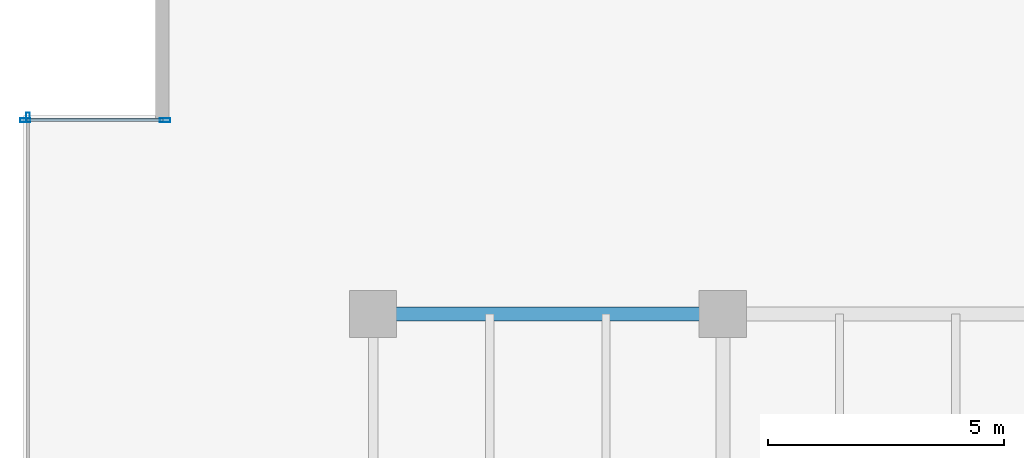
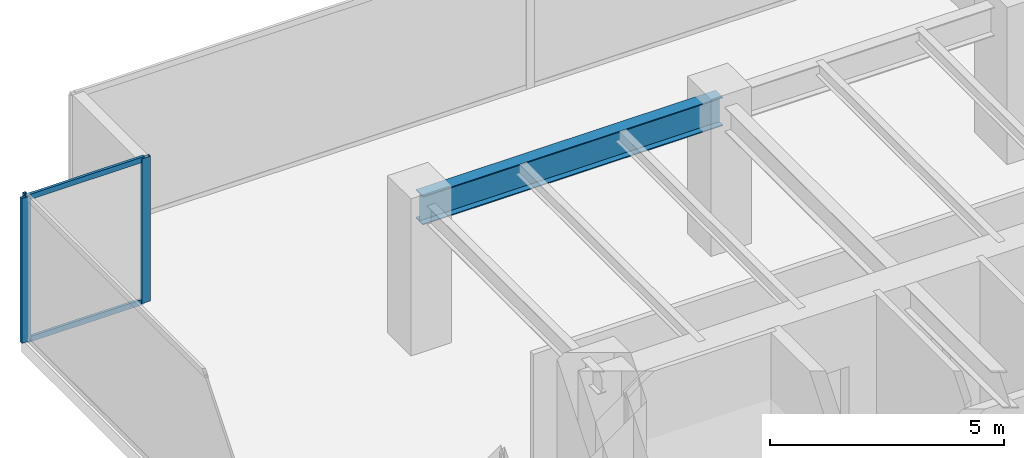
# One storey, part 12 of 35: 5 members, 1 beam, 2 elements without a shape of their own.
"""IFC4 building model written with IfcOpenShell, lengths in metres."""

from ifc_helpers import new_model, si_unit, direction, frame, origin, origin_2d, place, context, subcontext, project, spatial, hollow_rectangle, i_section, extrude, source, transform, mapped, material, layer, layer_set, material_profile, profile_set, type_object, type_shapes, element, aggregate, save


model = new_model("IFC4")

# Units and contexts
model_context = context("Model", 3, precision=1e-05, world=origin(), true_north=direction((0.0, 1.0)))
body_context = subcontext(model_context, "Body", "Model", "MODEL_VIEW")
ifc_project = project(units=[si_unit("LENGTHUNIT", "METRE"), si_unit("AREAUNIT", "SQUARE_METRE"), si_unit("VOLUMEUNIT", "CUBIC_METRE"), si_unit("PLANEANGLEUNIT", "RADIAN"), si_unit("MASSUNIT", "GRAM", prefix="KILO")], contexts=[model_context])

# Site, building, storey
site_placement = place(None, origin())
site = spatial("IfcSite", under=ifc_project, at=site_placement, CompositionType="ELEMENT")
building_placement = place(site_placement, origin())
building = spatial("IfcBuilding", under=site, at=building_placement, Name="Haelvirn Gate Laboratories", CompositionType="ELEMENT")
storey_placement = place(building_placement, frame((0.0, 0.0, 82.60009765625)))
storey = spatial("IfcBuildingStorey", under=building, at=storey_placement, Name="L20", CompositionType="ELEMENT", Elevation=82.60009765625)

# Beam
ifc_material_1 = material(Name="Steel SM355", Category="steel")
ifc_material_profile_1 = material_profile(ifc_material_1, i_section(OverallWidth=0.300048828125, OverallDepth=0.75, WebThickness=0.013916015625, FlangeThickness=0.02392578125, at=origin_2d()), Name="H-750x300x14x24")
ifc_profile_set_1 = profile_set([ifc_material_profile_1], Name="Steel SM355")
beam_type = type_object("IfcBeamType", Name="BM-G-750", PredefinedType="BEAM", material=ifc_profile_set_1)
shared_shape_1 = source(origin(), body_context, "Body", "SweptSolid", [
    extrude(i_section(OverallWidth=0.300048828125, OverallDepth=0.75, WebThickness=0.013916015625, FlangeThickness=0.02392578125, at=origin_2d()), origin(), (0.0, 0.0, 1.0), 7.400146484375),
])
type_shapes(beam_type, [shared_shape_1])
beam_placement = place(storey_placement, frame((7.39990234375, 41.60009765625, 3.40478515625), z_axis=(1.0, 0.0, 0.0), x_axis=(0.0, 1.0, 0.0)))
element("IfcBeam", 1, at=beam_placement, inside=storey, type_object=beam_type, Name="L20 Primary Girder Y41.6 (7.4-14.8)", PredefinedType="BEAM", context=body_context, shape_type="MappedRepresentation", body=[
    mapped(shared_shape_1, transform((0.0, 0.0, 0.0), scale=1.0)),
])

# Curtain wall, members
ifc_material_2 = material(Name="Anodised bronze unitised aluminium & triple low-E glass", Category="aluminium")
ifc_layer_1 = layer(ifc_material_2, 0.181884765625, Name="CW-SYS-5")
ifc_layer_set_1 = layer_set([ifc_layer_1], Name="Anodised bronze unitised aluminium & triple low-E glass")
curtain_wall_type_1 = type_object("IfcCurtainWallType", Name="CW-SYS-5", PredefinedType="NOTDEFINED", material=ifc_layer_set_1)
curtain_wall_1_placement = place(storey_placement, origin())
curtain_wall_1 = element("IfcCurtainWall", 2, at=curtain_wall_1_placement, inside=storey, type_object=curtain_wall_type_1, Name="L20 Unitised Curtain Wall CW-L20-P0-E16-1", PredefinedType="NOTDEFINED")
ifc_material_3 = material(Name="Extruded aluminium 6063-T6 (anodised bronze)", Category="aluminium")
ifc_material_profile_2 = material_profile(ifc_material_3, hollow_rectangle(XDim=0.06494140625, YDim=0.139892578125, WallThickness=0.00390625, at=origin_2d()), Name="CWT-140x65x4")
ifc_profile_set_2 = profile_set([ifc_material_profile_2], Name="Extruded aluminium 6063-T6 (anodised bronze)")
member_type_1 = type_object("IfcMemberType", Name="CWT-T140", PredefinedType="USERDEFINED", material=ifc_profile_set_2)
shared_shape_2 = source(origin(), body_context, "Body", "SweptSolid", [
    extrude(hollow_rectangle(XDim=0.06494140625, YDim=0.139892578125, WallThickness=0.00390625, at=origin_2d()), origin(), (0.0, 0.0, 1.0), 2.8798828125),
])
type_shapes(member_type_1, [shared_shape_2])
member_1_placement = place(storey_placement, frame((0.080078125, 45.699951171875, 0.032470703125), z_axis=(1.0, 0.0, 0.0), x_axis=(0.0, 1.0, 0.0)))
member_1 = element("IfcMember", 3, at=member_1_placement, type_object=member_type_1, Name="CW5 transom 1.1", ObjectType="TRANSOM", PredefinedType="USERDEFINED", context=body_context, shape_type="MappedRepresentation", body=[
    mapped(shared_shape_2, transform((0.0, 0.0, 0.0), scale=1.0)),
])
member_2_placement = place(storey_placement, frame((0.080078125, 45.699951171875, 3.747314453125), z_axis=(1.0, 0.0, 0.0), x_axis=(0.0, 1.0, 0.0)))
member_2 = element("IfcMember", 4, at=member_2_placement, type_object=member_type_1, Name="CW5 transom 1.2", ObjectType="TRANSOM", PredefinedType="USERDEFINED", context=body_context, shape_type="MappedRepresentation", body=[
    mapped(shared_shape_2, transform((0.0, 0.0, 0.0), scale=1.0)),
])

# Curtain wall, member
ifc_layer_2 = layer(ifc_material_2, 0.18408203125, Name="CW-SYS-2")
ifc_layer_set_2 = layer_set([ifc_layer_2], Name="Anodised bronze unitised aluminium & triple low-E glass")
curtain_wall_type_2 = type_object("IfcCurtainWallType", Name="CW-SYS-2", PredefinedType="NOTDEFINED", material=ifc_layer_set_2)
curtain_wall_2_placement = place(storey_placement, origin())
curtain_wall_2 = element("IfcCurtainWall", 5, at=curtain_wall_2_placement, inside=storey, type_object=curtain_wall_type_2, Name="L20 Unitised Curtain Wall CW-L20-P0-E17", PredefinedType="NOTDEFINED")
ifc_material_profile_3 = material_profile(ifc_material_3, hollow_rectangle(XDim=0.074951171875, YDim=0.199951171875, WallThickness=0.0048828125, at=origin_2d()), Name="CWM-200x75x5")
ifc_profile_set_3 = profile_set([ifc_material_profile_3], Name="Extruded aluminium 6063-T6 (anodised bronze)")
member_type_2 = type_object("IfcMemberType", Name="CWM-T200", PredefinedType="MULLION", material=ifc_profile_set_3)
shared_shape_3 = source(origin(), body_context, "Body", "SweptSolid", [
    extrude(hollow_rectangle(XDim=0.074951171875, YDim=0.199951171875, WallThickness=0.0048828125, at=origin_2d()), origin(), (0.0, 0.0, 1.0), 3.77978515625),
])
type_shapes(member_type_2, [shared_shape_3])
member_3_placement = place(storey_placement, frame((0.10009765625, 45.762451171875, 0.0), z_axis=(0.0, 0.0, 1.0), x_axis=(1.0, 0.0, 0.0)))
member_3 = element("IfcMember", 6, at=member_3_placement, type_object=member_type_2, Name="CW2 mullion 1", PredefinedType="MULLION", context=body_context, shape_type="MappedRepresentation", body=[
    mapped(shared_shape_3, transform((0.0, 0.0, 0.0), scale=1.0)),
])
aggregate(curtain_wall_2, [member_3])

# Member
ifc_material_profile_4 = material_profile(ifc_material_3, hollow_rectangle(XDim=0.080078125, YDim=0.219970703125, WallThickness=0.006103515625, at=origin_2d()), Name="CWM-220x80x6")
ifc_profile_set_4 = profile_set([ifc_material_profile_4], Name="Extruded aluminium 6063-T6 (anodised bronze)")
member_type_3 = type_object("IfcMemberType", Name="CWM-T220", PredefinedType="MULLION", material=ifc_profile_set_4)
shared_shape_4 = source(origin(), body_context, "Body", "SweptSolid", [
    extrude(hollow_rectangle(XDim=0.080078125, YDim=0.219970703125, WallThickness=0.006103515625, at=origin_2d()), origin(), (0.0, 0.0, 1.0), 3.77978515625),
])
type_shapes(member_type_3, [shared_shape_4])
member_4_placement = place(storey_placement, frame((0.0400390625, 45.699951171875, 0.0), z_axis=(0.0, 0.0, 1.0), x_axis=(0.0, 1.0, 0.0)))
member_4 = element("IfcMember", 7, at=member_4_placement, type_object=member_type_3, Name="CW5 mullion 1", PredefinedType="MULLION", context=body_context, shape_type="MappedRepresentation", body=[
    mapped(shared_shape_4, transform((0.0, 0.0, 0.0), scale=1.0)),
])

member_5_placement = place(storey_placement, frame((3.0, 45.699951171875, 0.0), z_axis=(0.0, 0.0, 1.0), x_axis=(0.0, 1.0, 0.0)))
member_5 = element("IfcMember", 8, at=member_5_placement, type_object=member_type_3, Name="CW5 mullion 2", PredefinedType="MULLION", context=body_context, shape_type="MappedRepresentation", body=[
    mapped(shared_shape_4, transform((0.0, 0.0, 0.0), scale=1.0)),
])

aggregate(curtain_wall_1, [member_4, member_5, member_1, member_2])

save(model, "model.ifc")
